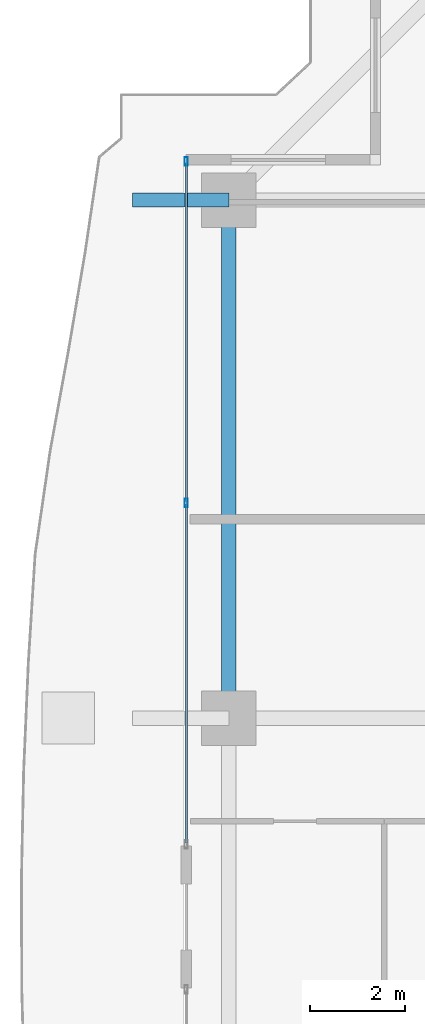
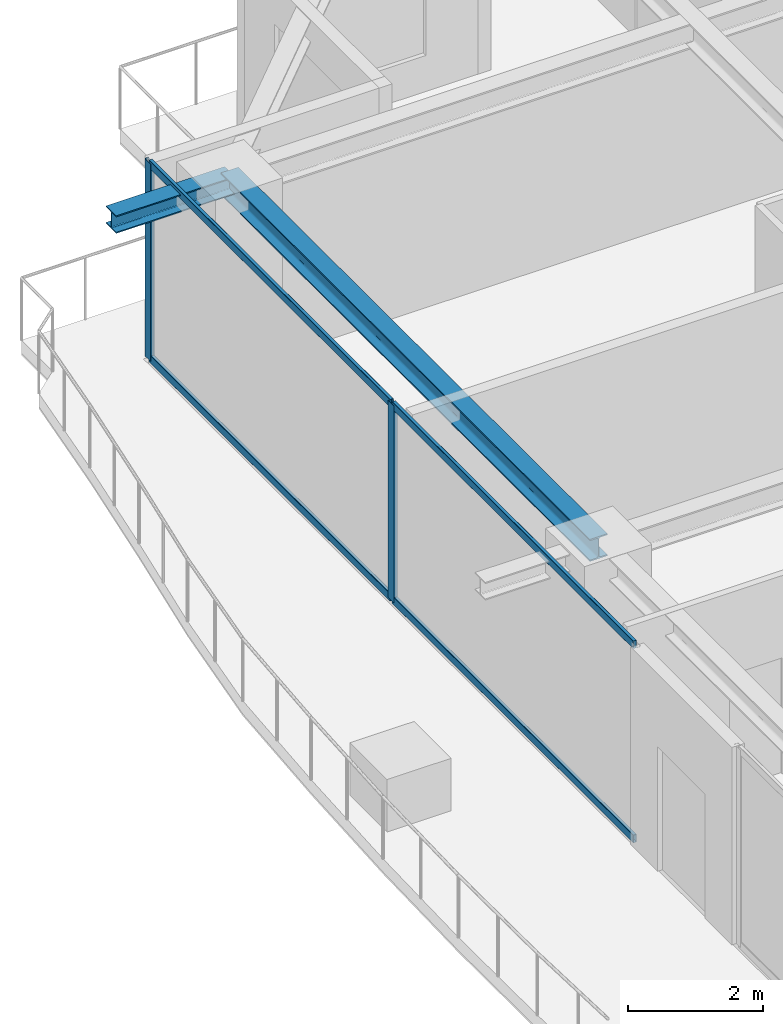
# One storey, part 17 of 36: 6 members, 2 beams, 1 element without a shape of its own.
"""IFC4 building model written with IfcOpenShell, lengths in metres."""

from ifc_helpers import new_model, si_unit, direction, frame, origin, origin_2d, place, context, subcontext, project, spatial, hollow_rectangle, i_section, extrude, source, transform, mapped, material, layer, layer_set, material_profile, profile_set, type_object, element, aggregate, save


model = new_model("IFC4")

# Units and contexts
model_context = context("Model", 3, precision=1e-05, world=origin(), true_north=direction((0.0, 1.0)))
body_context = subcontext(model_context, "Body", "Model", "MODEL_VIEW")
ifc_project = project(units=[si_unit("LENGTHUNIT", "METRE"), si_unit("AREAUNIT", "SQUARE_METRE"), si_unit("VOLUMEUNIT", "CUBIC_METRE"), si_unit("PLANEANGLEUNIT", "RADIAN"), si_unit("MASSUNIT", "GRAM", prefix="KILO")], contexts=[model_context])

# Site, building, storey
site_placement = place(None, origin())
site = spatial("IfcSite", under=ifc_project, at=site_placement, CompositionType="ELEMENT")
building_placement = place(site_placement, origin())
building = spatial("IfcBuilding", under=site, at=building_placement, Name="Serunith Strait Residences", CompositionType="ELEMENT")
storey_placement = place(building_placement, frame((0.0, 0.0, 225.85009765625)))
storey = spatial("IfcBuildingStorey", under=building, at=storey_placement, Name="L56", CompositionType="ELEMENT", Elevation=225.85009765625)

# Beams
ifc_material_1 = material(Name="Steel S355J2", Category="steel")
ifc_material_profile_1 = material_profile(ifc_material_1, i_section(OverallWidth=0.300048828125, OverallDepth=0.39990234375, WebThickness=0.013427734375, FlangeThickness=0.02392578125, FilletRadius=0.027099609375, at=origin_2d()), Name="HEB 400")
ifc_profile_set_1 = profile_set([ifc_material_profile_1], Name="Steel S355J2")
beam_type_1 = type_object("IfcBeamType", Name="BM-HEB400", PredefinedType="BEAM", material=ifc_profile_set_1)
shared_shape_1 = source(origin(), body_context, "Body", "SweptSolid", [
    extrude(i_section(OverallWidth=0.300048828125, OverallDepth=0.39990234375, WebThickness=0.013427734375, FlangeThickness=0.02392578125, FilletRadius=0.027099609375, at=origin_2d()), origin(), (0.0, 0.0, 1.0), 10.9501953125),
])
beam_1_placement = place(storey_placement, frame((8.300048828125, 40.35009765625, 3.386962890625), z_axis=(0.0, -1.0, 0.0), x_axis=(1.0, 0.0, 0.0)))
element("IfcBeam", 1, at=beam_1_placement, inside=storey, type_object=beam_type_1, Name="L56 Perimeter Ring Beam 13", PredefinedType="BEAM", context=body_context, shape_type="MappedRepresentation", body=[
    mapped(shared_shape_1, transform((0.0, 0.0, 0.0), scale=1.0)),
])
ifc_material_profile_2 = material_profile(ifc_material_1, i_section(OverallWidth=0.300048828125, OverallDepth=0.320068359375, WebThickness=0.011474609375, FlangeThickness=0.0205078125, FilletRadius=0.027099609375, at=origin_2d()), Name="HEB 320")
ifc_profile_set_2 = profile_set([ifc_material_profile_2], Name="Steel S355J2")
beam_type_2 = type_object("IfcBeamType", Name="BM-HEB320", PredefinedType="BEAM", material=ifc_profile_set_2)
shared_shape_2 = source(origin(), body_context, "Body", "SweptSolid", [
    extrude(i_section(OverallWidth=0.300048828125, OverallDepth=0.320068359375, WebThickness=0.011474609375, FlangeThickness=0.0205078125, FilletRadius=0.027099609375, at=origin_2d()), origin(), (0.0, 0.0, 1.0), 2.030029296875),
])
beam_2_placement = place(storey_placement, frame((8.300048828125, 40.35009765625, 3.39697265625), z_axis=(-1.0, 0.0, 0.0), x_axis=(0.0, -1.0, 0.0)))
element("IfcBeam", 2, at=beam_2_placement, inside=storey, type_object=beam_type_2, Name="L57 Cantilevered Balcony Rib TC-W4", PredefinedType="BEAM", context=body_context, shape_type="MappedRepresentation", body=[
    mapped(shared_shape_2, transform((0.0, 0.0, 0.0), scale=1.0)),
])

# Curtain wall, members
ifc_material_2 = material(Name="Pale-Champagne Anodised Aluminium", Category="aluminium")
ifc_layer = layer(ifc_material_2, 0.199951171875, Name="Pale-Champagne Anodised Aluminium")
ifc_layer_set = layer_set([ifc_layer], Name="Pale-Champagne Anodised Aluminium")
curtain_wall_type = type_object("IfcCurtainWallType", Name="CW-SYS4", PredefinedType="NOTDEFINED", material=ifc_layer_set)
curtain_wall_placement = place(storey_placement, origin())
curtain_wall = element("IfcCurtainWall", 3, at=curtain_wall_placement, inside=storey, type_object=curtain_wall_type, Name="L56 W Unitised Fritted Curtain Wall", PredefinedType="NOTDEFINED")
ifc_material_profile_3 = material_profile(ifc_material_2, hollow_rectangle(XDim=0.06494140625, YDim=0.179931640625, WallThickness=0.00341796875, InnerFilletRadius=0.00537109375, OuterFilletRadius=0.0087890625, at=origin_2d()), Name="ALU 180x65x3.5")
ifc_profile_set_3 = profile_set([ifc_material_profile_3], Name="Pale-Champagne Anodised Aluminium")
member_type_1 = type_object("IfcMemberType", Name="CW-SYS4-MULL", PredefinedType="MULLION", material=ifc_profile_set_3)
shared_shape_3 = source(origin(), body_context, "Body", "SweptSolid", [
    extrude(hollow_rectangle(XDim=0.06494140625, YDim=0.179931640625, WallThickness=0.00341796875, InnerFilletRadius=0.00537109375, OuterFilletRadius=0.0087890625, at=origin_2d()), origin(), (0.0, 0.0, 1.0), 3.574951171875),
])
member_1_placement = place(storey_placement, frame((7.39990234375, 41.16748046875, 0.0), z_axis=(0.0, 0.0, 1.0), x_axis=(1.0, 0.0, 0.0)))
member_1 = element("IfcMember", 4, at=member_1_placement, type_object=member_type_1, Name="CW-4 mullion 1", PredefinedType="MULLION", context=body_context, shape_type="MappedRepresentation", body=[
    mapped(shared_shape_3, transform((0.0, 0.0, 0.0), scale=1.0)),
])
member_2_placement = place(storey_placement, frame((7.39990234375, 33.949951171875, 0.0), z_axis=(0.0, 0.0, 1.0), x_axis=(1.0, 0.0, 0.0)))
member_2 = element("IfcMember", 5, at=member_2_placement, type_object=member_type_1, Name="CW-4 mullion 2", PredefinedType="MULLION", context=body_context, shape_type="MappedRepresentation", body=[
    mapped(shared_shape_3, transform((0.0, 0.0, 0.0), scale=1.0)),
])
ifc_material_profile_4 = material_profile(ifc_material_2, hollow_rectangle(XDim=0.06005859375, YDim=0.139892578125, WallThickness=0.00341796875, InnerFilletRadius=0.00537109375, OuterFilletRadius=0.0087890625, at=origin_2d()), Name="ALU 140x60x3.5")
ifc_profile_set_4 = profile_set([ifc_material_profile_4], Name="Pale-Champagne Anodised Aluminium")
member_type_2 = type_object("IfcMemberType", Name="CW-SYS4-TRAN", PredefinedType="USERDEFINED", material=ifc_profile_set_4)
shared_shape_4 = source(origin(), body_context, "Body", "SweptSolid", [
    extrude(hollow_rectangle(XDim=0.06005859375, YDim=0.139892578125, WallThickness=0.00341796875, InnerFilletRadius=0.00537109375, OuterFilletRadius=0.0087890625, at=origin_2d()), origin(), (0.0, 0.0, 1.0), 7.152587890625),
])
member_3_placement = place(storey_placement, frame((7.39990234375, 41.135009765625, 0.02978515625), z_axis=(0.0, -1.0, 0.0), x_axis=(1.0, 0.0, 0.0)))
member_3 = element("IfcMember", 6, at=member_3_placement, type_object=member_type_2, Name="CW-4 transom 1.1", ObjectType="TRANSOM", PredefinedType="USERDEFINED", context=body_context, shape_type="MappedRepresentation", body=[
    mapped(shared_shape_4, transform((0.0, 0.0, 0.0), scale=1.0)),
])
member_4_placement = place(storey_placement, frame((7.39990234375, 41.135009765625, 3.544921875), z_axis=(0.0, -1.0, 0.0), x_axis=(1.0, 0.0, 0.0)))
member_4 = element("IfcMember", 7, at=member_4_placement, type_object=member_type_2, Name="CW-4 transom 1.2", ObjectType="TRANSOM", PredefinedType="USERDEFINED", context=body_context, shape_type="MappedRepresentation", body=[
    mapped(shared_shape_4, transform((0.0, 0.0, 0.0), scale=1.0)),
])
member_5_placement = place(storey_placement, frame((7.39990234375, 33.91748046875, 0.02978515625), z_axis=(0.0, -1.0, 0.0), x_axis=(1.0, 0.0, 0.0)))
member_5 = element("IfcMember", 8, at=member_5_placement, type_object=member_type_2, Name="CW-4 transom 2.1", ObjectType="TRANSOM", PredefinedType="USERDEFINED", context=body_context, shape_type="MappedRepresentation", body=[
    mapped(shared_shape_4, transform((0.0, 0.0, 0.0), scale=1.0)),
])
member_6_placement = place(storey_placement, frame((7.39990234375, 33.91748046875, 3.544921875), z_axis=(0.0, -1.0, 0.0), x_axis=(1.0, 0.0, 0.0)))
member_6 = element("IfcMember", 9, at=member_6_placement, type_object=member_type_2, Name="CW-4 transom 2.2", ObjectType="TRANSOM", PredefinedType="USERDEFINED", context=body_context, shape_type="MappedRepresentation", body=[
    mapped(shared_shape_4, transform((0.0, 0.0, 0.0), scale=1.0)),
])
aggregate(curtain_wall, [member_1, member_2, member_3, member_4, member_5, member_6])

save(model, "model.ifc")
